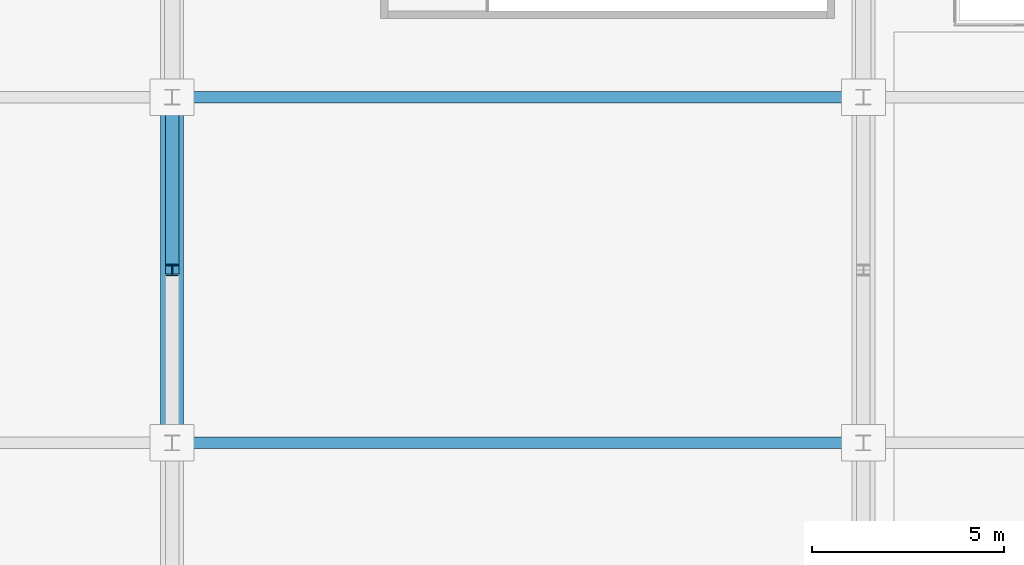
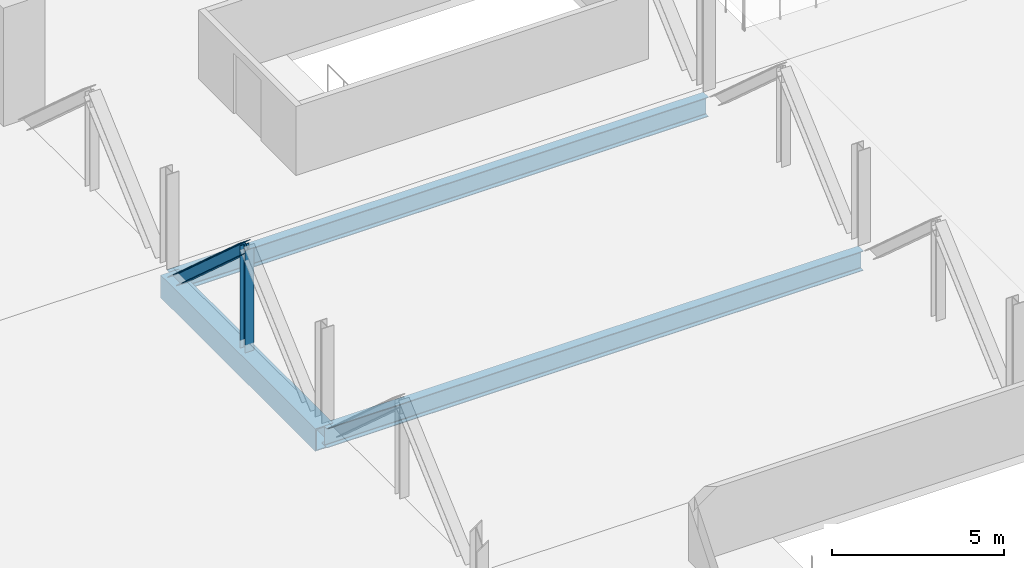
# One storey, part 30 of 136: 3 beams, 2 members.
"""IFC4 building model written with IfcOpenShell, lengths in metres."""

from ifc_helpers import new_model, si_unit, direction, frame, origin, origin_2d, place, context, subcontext, project, spatial, hollow_rectangle, i_section, extrude, material, material_profile, profile_set, type_object, element, save


model = new_model("IFC4")

# Units and contexts
model_context = context("Model", 3, precision=1e-05, world=origin(), true_north=direction((0.0, 1.0)))
body_context = subcontext(model_context, "Body", "Model", "MODEL_VIEW")
ifc_project = project(units=[si_unit("LENGTHUNIT", "METRE"), si_unit("AREAUNIT", "SQUARE_METRE"), si_unit("VOLUMEUNIT", "CUBIC_METRE"), si_unit("PLANEANGLEUNIT", "RADIAN"), si_unit("MASSUNIT", "GRAM", prefix="KILO")], contexts=[model_context])

# Site, building, storey
site_placement = place(None, origin())
site = spatial("IfcSite", under=ifc_project, at=site_placement, CompositionType="ELEMENT")
building_placement = place(site_placement, origin())
building = spatial("IfcBuilding", under=site, at=building_placement, Name="Chuanluo Vaults Station", CompositionType="ELEMENT")
storey_placement = place(building_placement, frame((0.0, 0.0, 6.60009765625)))
storey = spatial("IfcBuildingStorey", under=building, at=storey_placement, Name="L01", CompositionType="ELEMENT", Elevation=6.60009765625)

# Beams
ifc_material_1 = material(Name="Steel Q355C", Category="steel")
ifc_material_profile_1 = material_profile(ifc_material_1, i_section(OverallWidth=0.300048828125, OverallDepth=0.699951171875, WebThickness=0.012939453125, FlangeThickness=0.02392578125, FilletRadius=0.02197265625, at=origin_2d()))
ifc_profile_set_1 = profile_set([ifc_material_profile_1], Name="Steel Q355C")
beam_type_1 = type_object("IfcBeamType", Name="BM-GRD-700", PredefinedType="USERDEFINED", material=ifc_profile_set_1)
for number, where, z_axis, x_axis, name in (
    (1, (54.0, 85.5, -0.630126953125), (1.0, 0.0, 0.0), (0.0, 1.0, 0.0), "Over-track concourse floor girder 4-85"),
    (2, (54.0, 94.5, -0.630126953125), (1.0, 0.0, 0.0), (0.0, 1.0, 0.0), "Over-track concourse floor girder 4-94"),
):
    element("IfcBeam", number, at=place(storey_placement, frame(where, z_axis=z_axis, x_axis=x_axis)), inside=storey, type_object=beam_type_1, Name=name, ObjectType="GIRDER", PredefinedType="USERDEFINED", context=body_context, shape_type="SweptSolid", body=[
        extrude(i_section(OverallWidth=0.300048828125, OverallDepth=0.699951171875, WebThickness=0.012939453125, FlangeThickness=0.02392578125, FilletRadius=0.02197265625, at=origin_2d()), origin(), (0.0, 0.0, 1.0), 18.0),
    ])
ifc_material_2 = material(Name="Steel Q390C", Category="steel")
ifc_material_profile_2 = material_profile(ifc_material_2, hollow_rectangle(XDim=0.60009765625, YDim=0.800048828125, WallThickness=0.031982421875, at=origin_2d()))
ifc_profile_set_2 = profile_set([ifc_material_profile_2], Name="Steel Q390C")
beam_type_2 = type_object("IfcBeamType", Name="BM-TT-BOT", PredefinedType="USERDEFINED", material=ifc_profile_set_2)
beam_placement = place(storey_placement, frame((54.0, 85.5, -0.68017578125), z_axis=(0.0, 1.0, 0.0), x_axis=(-1.0, 0.0, 0.0)))
element("IfcBeam", 3, at=beam_placement, inside=storey, type_object=beam_type_2, Name="Transfer truss TT-4 bottom chord 3", ObjectType="GIRDER", PredefinedType="USERDEFINED", context=body_context, shape_type="SweptSolid", body=[
    extrude(hollow_rectangle(XDim=0.60009765625, YDim=0.800048828125, WallThickness=0.031982421875, at=origin_2d()), origin(), (0.0, 0.0, 1.0), 9.0),
])

# Members
ifc_material_3 = material(Name="Steel Q390C", Category="steel")
ifc_material_profile_3 = material_profile(ifc_material_3, i_section(OverallWidth=0.35009765625, OverallDepth=0.35009765625, WebThickness=0.011962890625, FlangeThickness=0.01904296875, FilletRadius=0.02001953125, at=origin_2d()))
ifc_profile_set_3 = profile_set([ifc_material_profile_3], Name="Steel Q390C")
member_type_1 = type_object("IfcMemberType", Name="MEM-DIAG-350", PredefinedType="BRACE", material=ifc_profile_set_3)
member_1_placement = place(storey_placement, frame((54.0, 90.0, 3.349853515625), z_axis=(0.0, 0.744935757439, -0.667136205949), x_axis=(-1.0, 0.0, 0.0)))
element("IfcMember", 4, at=member_1_placement, inside=storey, type_object=member_type_1, Name="Transfer truss TT-4 diagonal 3B", PredefinedType="BRACE", context=body_context, shape_type="SweptSolid", body=[
    extrude(i_section(OverallWidth=0.35009765625, OverallDepth=0.35009765625, WebThickness=0.011962890625, FlangeThickness=0.01904296875, FilletRadius=0.02001953125, at=origin_2d()), origin(), (0.0, 0.0, 1.0), 6.040771484375),
])
ifc_material_4 = material(Name="Steel Q390C", Category="steel")
ifc_material_profile_4 = material_profile(ifc_material_4, i_section(OverallWidth=0.300048828125, OverallDepth=0.300048828125, WebThickness=0.010009765625, FlangeThickness=0.014892578125, FilletRadius=0.01806640625, at=origin_2d()))
ifc_profile_set_4 = profile_set([ifc_material_profile_4], Name="Steel Q390C")
member_type_2 = type_object("IfcMemberType", Name="MEM-VERT-300", PredefinedType="POST", material=ifc_profile_set_4)
member_2_placement = place(storey_placement, frame((54.0, 90.0, -0.68017578125), z_axis=(0.0, 0.0, 1.0), x_axis=(1.0, 0.0, 0.0)))
element("IfcMember", 5, at=member_2_placement, inside=storey, type_object=member_type_2, Name="Transfer truss TT-4 mid-panel hanger 3", PredefinedType="POST", context=body_context, shape_type="SweptSolid", body=[
    extrude(i_section(OverallWidth=0.300048828125, OverallDepth=0.300048828125, WebThickness=0.010009765625, FlangeThickness=0.014892578125, FilletRadius=0.01806640625, at=origin_2d()), origin(), (0.0, 0.0, 1.0), 4.030029296875),
])

save(model, "model.ifc")
